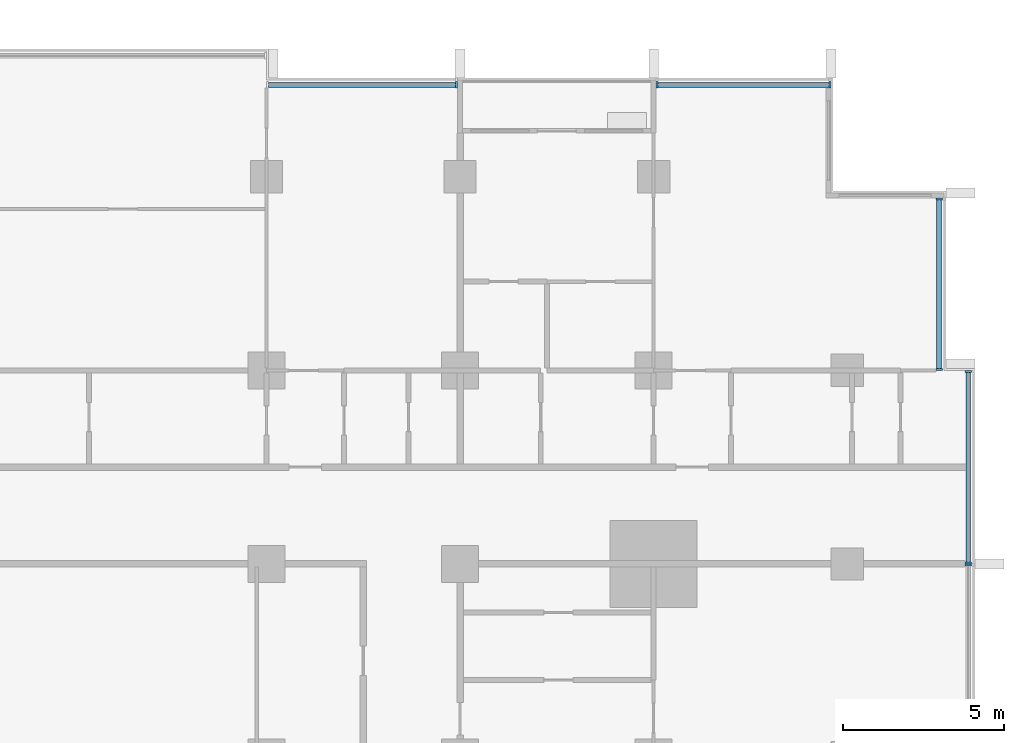
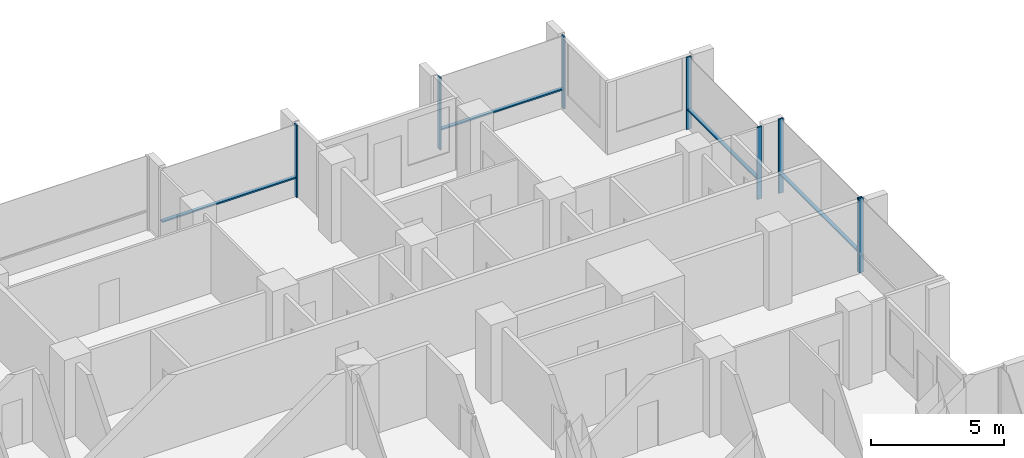
# One storey, part 5 of 18: 12 members, 5 elements without a shape of their own.
"""IFC4 building model written with IfcOpenShell, lengths in metres."""

from ifc_helpers import new_model, si_unit, direction, frame, origin, origin_2d, place, context, subcontext, project, spatial, rectangle, extrude, material, material_profile, profile_set, type_object, element, aggregate, save


model = new_model("IFC4")

# Units and contexts
model_context = context("Model", 3, precision=1e-05, world=origin(), true_north=direction((0.0, 1.0)))
body_context = subcontext(model_context, "Body", "Model", "MODEL_VIEW")
ifc_project = project(units=[si_unit("LENGTHUNIT", "METRE"), si_unit("AREAUNIT", "SQUARE_METRE"), si_unit("VOLUMEUNIT", "CUBIC_METRE"), si_unit("PLANEANGLEUNIT", "RADIAN"), si_unit("MASSUNIT", "GRAM", prefix="KILO")], contexts=[model_context])

# Site, building, storey
site_placement = place(None, origin())
site = spatial("IfcSite", under=ifc_project, at=site_placement, CompositionType="ELEMENT")
building_placement = place(site_placement, origin())
building = spatial("IfcBuilding", under=site, at=building_placement, Name="Finial Court Residences", CompositionType="ELEMENT")
storey_placement = place(building_placement, frame((0.0, 0.0, 106.300048828125)))
storey = spatial("IfcBuildingStorey", under=building, at=storey_placement, Name="L26", CompositionType="ELEMENT", Elevation=106.300048828125)

# Curtain wall, member
ifc_material = material(Name="Bronze anodised aluminium", Category="aluminium")
curtain_wall_type = type_object("IfcCurtainWallType", Name="Unitised curtain wall, lower and middle zones", PredefinedType="NOTDEFINED", material=ifc_material)
curtain_wall_1_placement = place(storey_placement, origin())
curtain_wall_1 = element("IfcCurtainWall", 1, at=curtain_wall_1_placement, inside=storey, type_object=curtain_wall_type, Name="E-L26-CW-N4", PredefinedType="NOTDEFINED")
ifc_material_profile_1 = material_profile(ifc_material, rectangle(XDim=0.199951171875, YDim=0.06494140625, at=origin_2d()), Name="CW1 mullion 65 x 200")
ifc_profile_set_1 = profile_set([ifc_material_profile_1], Name="Bronze anodised aluminium")
member_type_1 = type_object("IfcMemberType", Name="CW1 mullion 65 x 200", PredefinedType="MULLION", material=ifc_profile_set_1)
member_1_placement = place(storey_placement, frame((10.392578125, 22.35009765625, 0.0), z_axis=(0.0, 0.0, 1.0), x_axis=(0.0, 1.0, 0.0)))
member_1 = element("IfcMember", 2, at=member_1_placement, type_object=member_type_1, Name="CW1 mullion 2", PredefinedType="MULLION", context=body_context, shape_type="SweptSolid", body=[
    extrude(rectangle(XDim=0.199951171875, YDim=0.06494140625, at=origin_2d()), origin(), (0.0, 0.0, 1.0), 3.300048828125),
])

# Curtain wall, members
curtain_wall_2_placement = place(storey_placement, origin())
curtain_wall_2 = element("IfcCurtainWall", 3, at=curtain_wall_2_placement, inside=storey, type_object=curtain_wall_type, Name="E-L26-CW-N5", PredefinedType="NOTDEFINED")
member_2_placement = place(storey_placement, frame((16.607421875, 22.35009765625, 0.0), z_axis=(0.0, 0.0, 1.0), x_axis=(0.0, 1.0, 0.0)))
member_2 = element("IfcMember", 4, at=member_2_placement, type_object=member_type_1, Name="CW1 mullion 1", PredefinedType="MULLION", context=body_context, shape_type="SweptSolid", body=[
    extrude(rectangle(XDim=0.199951171875, YDim=0.06494140625, at=origin_2d()), origin(), (0.0, 0.0, 1.0), 3.300048828125),
])
member_3_placement = place(storey_placement, frame((21.967529296875, 22.35009765625, 0.0), z_axis=(0.0, 0.0, 1.0), x_axis=(0.0, 1.0, 0.0)))
member_3 = element("IfcMember", 5, at=member_3_placement, type_object=member_type_1, Name="CW1 mullion 2", PredefinedType="MULLION", context=body_context, shape_type="SweptSolid", body=[
    extrude(rectangle(XDim=0.199951171875, YDim=0.06494140625, at=origin_2d()), origin(), (0.0, 0.0, 1.0), 3.300048828125),
])

# Curtain wall, member
curtain_wall_3_placement = place(storey_placement, origin())
curtain_wall_3 = element("IfcCurtainWall", 6, at=curtain_wall_3_placement, inside=storey, type_object=curtain_wall_type, Name="E-L26-CW-E7", PredefinedType="NOTDEFINED")
member_4_placement = place(storey_placement, frame((26.25, 7.467529296875, 0.0), z_axis=(0.0, 0.0, 1.0), x_axis=(-1.0, 0.0, 0.0)))
member_4 = element("IfcMember", 7, at=member_4_placement, type_object=member_type_1, Name="CW1 mullion 2", PredefinedType="MULLION", context=body_context, shape_type="SweptSolid", body=[
    extrude(rectangle(XDim=0.199951171875, YDim=0.06494140625, at=origin_2d()), origin(), (0.0, 0.0, 1.0), 3.39990234375),
])
aggregate(curtain_wall_3, [member_4])

# Curtain wall, members
curtain_wall_4_placement = place(storey_placement, origin())
curtain_wall_4 = element("IfcCurtainWall", 8, at=curtain_wall_4_placement, inside=storey, type_object=curtain_wall_type, Name="E-L26-CW-E8", PredefinedType="NOTDEFINED")
member_5_placement = place(storey_placement, frame((26.25, 7.532470703125, 0.0), z_axis=(0.0, 0.0, 1.0), x_axis=(-1.0, 0.0, 0.0)))
member_5 = element("IfcMember", 9, at=member_5_placement, type_object=member_type_1, Name="CW1 mullion 1", PredefinedType="MULLION", context=body_context, shape_type="SweptSolid", body=[
    extrude(rectangle(XDim=0.199951171875, YDim=0.06494140625, at=origin_2d()), origin(), (0.0, 0.0, 1.0), 3.39990234375),
])
member_6_placement = place(storey_placement, frame((26.25, 13.467529296875, 0.0), z_axis=(0.0, 0.0, 1.0), x_axis=(-1.0, 0.0, 0.0)))
member_6 = element("IfcMember", 10, at=member_6_placement, type_object=member_type_1, Name="CW1 mullion 2", PredefinedType="MULLION", context=body_context, shape_type="SweptSolid", body=[
    extrude(rectangle(XDim=0.199951171875, YDim=0.06494140625, at=origin_2d()), origin(), (0.0, 0.0, 1.0), 3.39990234375),
])

curtain_wall_5_placement = place(storey_placement, origin())
curtain_wall_5 = element("IfcCurtainWall", 11, at=curtain_wall_5_placement, inside=storey, type_object=curtain_wall_type, Name="E-L26-CW-E9", PredefinedType="NOTDEFINED")
member_7_placement = place(storey_placement, frame((25.35009765625, 13.532470703125, 0.0), z_axis=(0.0, 0.0, 1.0), x_axis=(-1.0, 0.0, 0.0)))
member_7 = element("IfcMember", 12, at=member_7_placement, type_object=member_type_1, Name="CW1 mullion 1", PredefinedType="MULLION", context=body_context, shape_type="SweptSolid", body=[
    extrude(rectangle(XDim=0.199951171875, YDim=0.06494140625, at=origin_2d()), origin(), (0.0, 0.0, 1.0), 3.300048828125),
])
member_8_placement = place(storey_placement, frame((25.35009765625, 18.8173828125, 0.0), z_axis=(0.0, 0.0, 1.0), x_axis=(-1.0, 0.0, 0.0)))
member_8 = element("IfcMember", 13, at=member_8_placement, type_object=member_type_1, Name="CW1 mullion 2", PredefinedType="MULLION", context=body_context, shape_type="SweptSolid", body=[
    extrude(rectangle(XDim=0.199951171875, YDim=0.06494140625, at=origin_2d()), origin(), (0.0, 0.0, 1.0), 3.300048828125),
])

# Member
ifc_material_profile_2 = material_profile(ifc_material, rectangle(XDim=0.14990234375, YDim=0.06494140625, at=origin_2d()), Name="CW1 transom 65 x 150")
ifc_profile_set_2 = profile_set([ifc_material_profile_2], Name="Bronze anodised aluminium")
member_type_2 = type_object("IfcMemberType", Name="CW1 transom 65 x 150", PredefinedType="USERDEFINED", material=ifc_profile_set_2)
member_9_placement = place(storey_placement, frame((4.56494140625, 22.35009765625, 0.89990234375), z_axis=(1.0, 0.0, 0.0), x_axis=(0.0, 1.0, 0.0)))
member_9 = element("IfcMember", 14, at=member_9_placement, type_object=member_type_2, Name="CW1 transom 1.1", ObjectType="TRANSOM", PredefinedType="USERDEFINED", context=body_context, shape_type="SweptSolid", body=[
    extrude(rectangle(XDim=0.14990234375, YDim=0.06494140625, at=origin_2d()), origin(), (0.0, 0.0, 1.0), 5.795166015625),
])

aggregate(curtain_wall_1, [member_1, member_9])

member_10_placement = place(storey_placement, frame((16.639892578125, 22.35009765625, 0.89990234375), z_axis=(1.0, 0.0, 0.0), x_axis=(0.0, 1.0, 0.0)))
member_10 = element("IfcMember", 15, at=member_10_placement, type_object=member_type_2, Name="CW1 transom 1.1", ObjectType="TRANSOM", PredefinedType="USERDEFINED", context=body_context, shape_type="SweptSolid", body=[
    extrude(rectangle(XDim=0.14990234375, YDim=0.06494140625, at=origin_2d()), origin(), (0.0, 0.0, 1.0), 5.295166015625),
])

aggregate(curtain_wall_2, [member_2, member_3, member_10])

member_11_placement = place(storey_placement, frame((26.25, 7.56494140625, 0.89990234375), z_axis=(0.0, 1.0, 0.0), x_axis=(-1.0, 0.0, 0.0)))
member_11 = element("IfcMember", 16, at=member_11_placement, type_object=member_type_2, Name="CW1 transom 1.1", ObjectType="TRANSOM", PredefinedType="USERDEFINED", context=body_context, shape_type="SweptSolid", body=[
    extrude(rectangle(XDim=0.14990234375, YDim=0.06494140625, at=origin_2d()), origin(), (0.0, 0.0, 1.0), 5.8701171875),
])

aggregate(curtain_wall_4, [member_5, member_6, member_11])

member_12_placement = place(storey_placement, frame((25.35009765625, 13.56494140625, 0.89990234375), z_axis=(0.0, 1.0, 0.0), x_axis=(-1.0, 0.0, 0.0)))
member_12 = element("IfcMember", 17, at=member_12_placement, type_object=member_type_2, Name="CW1 transom 1.1", ObjectType="TRANSOM", PredefinedType="USERDEFINED", context=body_context, shape_type="SweptSolid", body=[
    extrude(rectangle(XDim=0.14990234375, YDim=0.06494140625, at=origin_2d()), origin(), (0.0, 0.0, 1.0), 5.219970703125),
])

aggregate(curtain_wall_5, [member_7, member_8, member_12])

save(model, "model.ifc")
